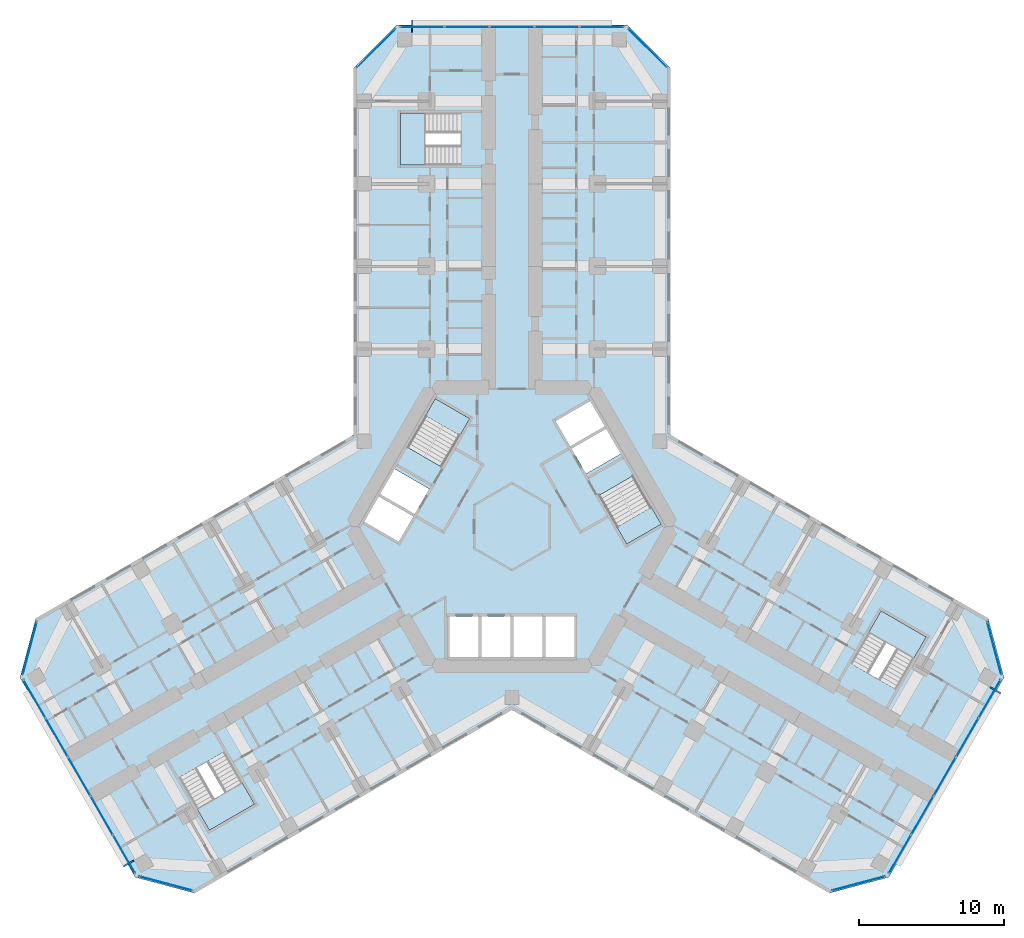
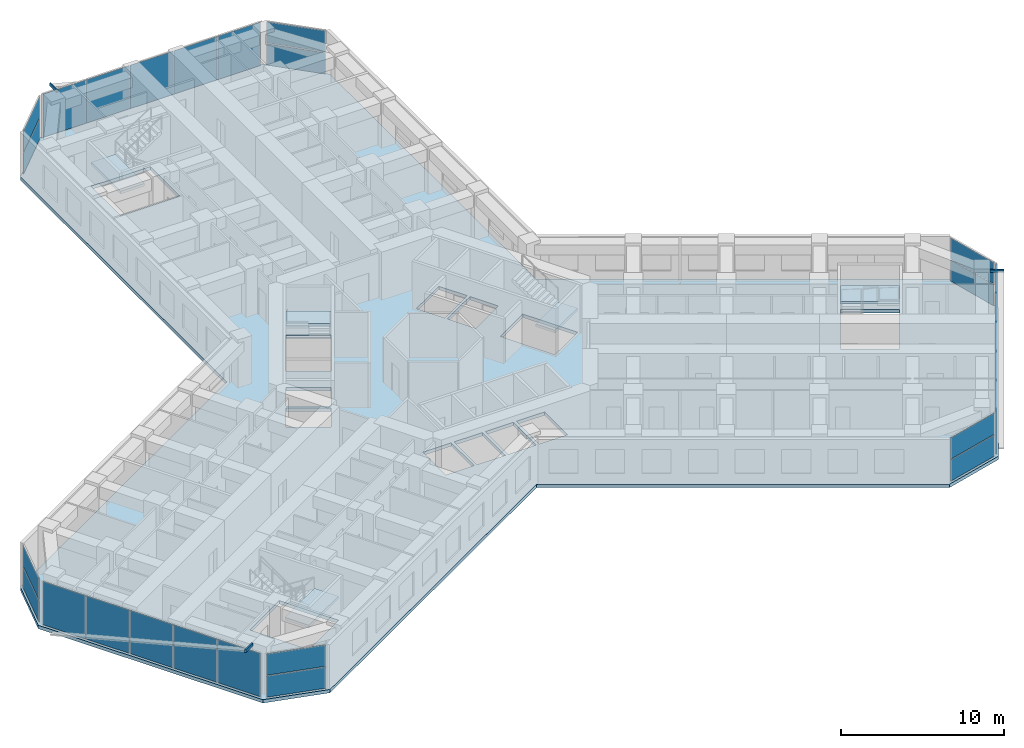
# One storey, part 9 of 21: 27 plates, 6 slabs, 3 members, 14 elements without a shape of their own.
"""IFC4 building model written with IfcOpenShell, lengths in metres."""

from ifc_helpers import new_model, si_unit, direction, frame, origin, origin_2d, place, context, subcontext, project, spatial, polyline, rectangle, hollow_rectangle, outline, extrude, material, layer, layer_set, material_profile, profile_set, type_object, element, aggregate, save


model = new_model("IFC4")

# Units and contexts
model_context = context("Model", 3, precision=1e-05, world=origin(), true_north=direction((0.0, 1.0)))
body_context = subcontext(model_context, "Body", "Model", "MODEL_VIEW")
ifc_project = project(units=[si_unit("LENGTHUNIT", "METRE"), si_unit("AREAUNIT", "SQUARE_METRE"), si_unit("VOLUMEUNIT", "CUBIC_METRE"), si_unit("PLANEANGLEUNIT", "RADIAN"), si_unit("MASSUNIT", "GRAM", prefix="KILO")], contexts=[model_context])

# Site, building, storey
site_placement = place(None, origin())
site = spatial("IfcSite", under=ifc_project, at=site_placement, CompositionType="ELEMENT")
building_placement = place(site_placement, origin())
building = spatial("IfcBuilding", under=site, at=building_placement, Name="Kosmar Iwan School Tower", CompositionType="ELEMENT")
storey_placement = place(building_placement, frame((0.0, 0.0, 68.199951171875)))
storey = spatial("IfcBuildingStorey", under=building, at=storey_placement, Name="L16", CompositionType="ELEMENT", Elevation=68.199951171875)

# Members
ifc_material_1 = material(Name="Steel S355", Category="steel")
ifc_material_profile = material_profile(ifc_material_1, hollow_rectangle(XDim=0.10009765625, YDim=0.199951171875, WallThickness=0.008056640625, at=origin_2d()), Name="RHS 200x100x8")
ifc_profile_set = profile_set([ifc_material_profile], Name="Steel S355")
member_type = type_object("IfcMemberType", Name="Fin bracket RHS 200x100", PredefinedType="USERDEFINED", material=ifc_profile_set)
member_1_placement = place(storey_placement, frame((32.9814453125, -11.074462890625, 3.47509765625), z_axis=(0.865989465428, -0.500062241894, 0.0), x_axis=(0.500062241894, 0.865989465428, 0.0)))
element("IfcMember", 1, at=member_1_placement, inside=storey, type_object=member_type, Name="Fin bracket L17", ObjectType="FIN BRACKET", PredefinedType="USERDEFINED", context=body_context, shape_type="SweptSolid", body=[
    extrude(hollow_rectangle(XDim=0.10009765625, YDim=0.199951171875, WallThickness=0.008056640625, at=origin_2d()), origin(), (0.0, 0.0, 1.0), 0.85009765625),
])
member_2_placement = place(storey_placement, frame((-6.89990234375, 34.10009765625, 3.47509765625), z_axis=(0.0, 1.0, 0.0), x_axis=(-1.0, 0.0, 0.0)))
element("IfcMember", 2, at=member_2_placement, inside=storey, type_object=member_type, Name="Fin bracket L17", ObjectType="FIN BRACKET", PredefinedType="USERDEFINED", context=body_context, shape_type="SweptSolid", body=[
    extrude(hollow_rectangle(XDim=0.10009765625, YDim=0.199951171875, WallThickness=0.008056640625, at=origin_2d()), origin(), (0.0, 0.0, 1.0), 0.849853515625),
])
member_3_placement = place(storey_placement, frame((-26.08154296875, -23.025634765625, 3.47509765625), z_axis=(-0.865989465428, -0.500062241894, 0.0), x_axis=(0.500062241894, -0.865989465428, 0.0)))
element("IfcMember", 3, at=member_3_placement, inside=storey, type_object=member_type, Name="Fin bracket L17", ObjectType="FIN BRACKET", PredefinedType="USERDEFINED", context=body_context, shape_type="SweptSolid", body=[
    extrude(hollow_rectangle(XDim=0.10009765625, YDim=0.199951171875, WallThickness=0.008056640625, at=origin_2d()), origin(), (0.0, 0.0, 1.0), 0.85009765625),
])

# Curtain wall, plates
ifc_material_2 = material(Name="Dark glass in black aluminium frame", Category="aluminium")
curtain_wall_type_1 = type_object("IfcCurtainWallType", Name="Chamfer curtain wall dark glass", PredefinedType="USERDEFINED", material=ifc_material_2)
curtain_wall_1_placement = place(storey_placement, origin())
curtain_wall_1 = element("IfcCurtainWall", 4, at=curtain_wall_1_placement, inside=storey, type_object=curtain_wall_type_1, Name="Curtain wall L16-F02", ObjectType="FACETED CURTAIN WALL", PredefinedType="USERDEFINED")
ifc_material_3 = material(Name="Dark glass", Category="glass")
ifc_layer_1 = layer(ifc_material_3, 0.028076171875)
ifc_layer_set_1 = layer_set([ifc_layer_1], Name="Dark glass panel 28")
plate_type = type_object("IfcPlateType", Name="Dark glass panel 28", PredefinedType="CURTAIN_PANEL", material=ifc_layer_set_1)
plate_1_placement = place(storey_placement, frame((23.908203125, -24.61328125, 0.06005859375), z_axis=(0.0, 0.0, 1.0), x_axis=(0.965925875495, 0.258818861462, 0.0)))
plate_1 = element("IfcPlate", 5, at=plate_1_placement, type_object=plate_type, Name="CW2 panel 1.1", PredefinedType="CURTAIN_PANEL", context=body_context, shape_type="SweptSolid", body=[
    extrude(rectangle(XDim=3.718994140625, YDim=0.028076171875, at=origin_2d()), origin(), (0.0, 0.0, 1.0), 1.5849609375),
])
plate_2_placement = place(storey_placement, frame((23.908203125, -24.61328125, 1.705078125), z_axis=(0.0, 0.0, 1.0), x_axis=(0.965925875495, 0.258818861462, 0.0)))
plate_2 = element("IfcPlate", 6, at=plate_2_placement, type_object=plate_type, Name="CW2 panel 1.2", PredefinedType="CURTAIN_PANEL", context=body_context, shape_type="SweptSolid", body=[
    extrude(rectangle(XDim=3.718994140625, YDim=0.028076171875, at=origin_2d()), origin(), (0.0, 0.0, 1.0), 1.5849609375),
])
aggregate(curtain_wall_1, [plate_1, plate_2])

ifc_material_4 = material(Name="Dark glass in black aluminium frame", Category="aluminium")
curtain_wall_type_2 = type_object("IfcCurtainWallType", Name="Tower curtain wall dark glass", PredefinedType="USERDEFINED", material=ifc_material_4)
curtain_wall_2_placement = place(storey_placement, origin())
curtain_wall_2 = element("IfcCurtainWall", 7, at=curtain_wall_2_placement, inside=storey, type_object=curtain_wall_type_2, Name="Curtain wall L16-F03", ObjectType="UNITISED CURTAIN WALL", PredefinedType="USERDEFINED")
plate_3_placement = place(storey_placement, frame((26.764404296875, -22.592529296875, 0.06005859375), z_axis=(0.0, 0.0, 1.0), x_axis=(0.499999997325, 0.866025405329, 0.0)))
plate_3 = element("IfcPlate", 8, at=plate_3_placement, type_object=plate_type, Name="CW1 panel 1.1", PredefinedType="CURTAIN_PANEL", context=body_context, shape_type="SweptSolid", body=[
    extrude(rectangle(XDim=3.00927734375, YDim=0.028076171875, at=origin_2d()), origin(), (0.0, 0.0, 1.0), 3.22998046875),
])
plate_4_placement = place(storey_placement, frame((28.306640625, -19.921630859375, 0.06005859375), z_axis=(0.0, 0.0, 1.0), x_axis=(0.499999997325, 0.866025405329, 0.0)))
plate_4 = element("IfcPlate", 9, at=plate_4_placement, type_object=plate_type, Name="CW1 panel 2.1", PredefinedType="CURTAIN_PANEL", context=body_context, shape_type="SweptSolid", body=[
    extrude(rectangle(XDim=3.039306640625, YDim=0.028076171875, at=origin_2d()), origin(), (0.0, 0.0, 1.0), 3.22998046875),
])
plate_5_placement = place(storey_placement, frame((29.856201171875, -17.237548828125, 0.06005859375), z_axis=(0.0, 0.0, 1.0), x_axis=(0.499999997325, 0.866025405329, 0.0)))
plate_5 = element("IfcPlate", 10, at=plate_5_placement, type_object=plate_type, Name="CW1 panel 3.1", PredefinedType="CURTAIN_PANEL", context=body_context, shape_type="SweptSolid", body=[
    extrude(rectangle(XDim=3.039306640625, YDim=0.028076171875, at=origin_2d()), origin(), (0.0, 0.0, 1.0), 3.22998046875),
])
plate_6_placement = place(storey_placement, frame((31.40576171875, -14.553466796875, 0.06005859375), z_axis=(0.0, 0.0, 1.0), x_axis=(0.499999997325, 0.866025405329, 0.0)))
plate_6 = element("IfcPlate", 11, at=plate_6_placement, type_object=plate_type, Name="CW1 panel 4.1", PredefinedType="CURTAIN_PANEL", context=body_context, shape_type="SweptSolid", body=[
    extrude(rectangle(XDim=3.039306640625, YDim=0.028076171875, at=origin_2d()), origin(), (0.0, 0.0, 1.0), 3.22998046875),
])
plate_7_placement = place(storey_placement, frame((32.947998046875, -11.88232421875, 0.06005859375), z_axis=(0.0, 0.0, 1.0), x_axis=(0.499999997325, 0.866025405329, 0.0)))
plate_7 = element("IfcPlate", 12, at=plate_7_placement, type_object=plate_type, Name="CW1 panel 5.1", PredefinedType="CURTAIN_PANEL", context=body_context, shape_type="SweptSolid", body=[
    extrude(rectangle(XDim=3.00927734375, YDim=0.028076171875, at=origin_2d()), origin(), (0.0, 0.0, 1.0), 3.22998046875),
])
aggregate(curtain_wall_2, [plate_3, plate_4, plate_5, plate_6, plate_7])

curtain_wall_3_placement = place(storey_placement, origin())
curtain_wall_3 = element("IfcCurtainWall", 13, at=curtain_wall_3_placement, inside=storey, type_object=curtain_wall_type_1, Name="Curtain wall L16-F04", ObjectType="FACETED CURTAIN WALL", PredefinedType="USERDEFINED")
plate_8_placement = place(storey_placement, frame((33.269775390625, -8.3984375, 0.06005859375), z_axis=(0.0, 0.0, 1.0), x_axis=(-0.258818861462, 0.965925875495, 0.0)))
plate_8 = element("IfcPlate", 14, at=plate_8_placement, type_object=plate_type, Name="CW2 panel 1.1", PredefinedType="CURTAIN_PANEL", context=body_context, shape_type="SweptSolid", body=[
    extrude(rectangle(XDim=3.718994140625, YDim=0.028076171875, at=origin_2d()), origin(), (0.0, 0.0, 1.0), 1.5849609375),
])
plate_9_placement = place(storey_placement, frame((33.269775390625, -8.3984375, 1.705078125), z_axis=(0.0, 0.0, 1.0), x_axis=(-0.258818861462, 0.965925875495, 0.0)))
plate_9 = element("IfcPlate", 15, at=plate_9_placement, type_object=plate_type, Name="CW2 panel 1.2", PredefinedType="CURTAIN_PANEL", context=body_context, shape_type="SweptSolid", body=[
    extrude(rectangle(XDim=3.718994140625, YDim=0.028076171875, at=origin_2d()), origin(), (0.0, 0.0, 1.0), 1.5849609375),
])
aggregate(curtain_wall_3, [plate_8, plate_9])

curtain_wall_4_placement = place(storey_placement, origin())
curtain_wall_4 = element("IfcCurtainWall", 16, at=curtain_wall_4_placement, inside=storey, type_object=curtain_wall_type_1, Name="Curtain wall L16-F07", ObjectType="FACETED CURTAIN WALL", PredefinedType="USERDEFINED")
plate_10_placement = place(storey_placement, frame((9.361572265625, 33.01171875, 0.06005859375), z_axis=(0.0, 0.0, 1.0), x_axis=(-0.707106781187, 0.707106781187, 0.0)))
plate_10 = element("IfcPlate", 17, at=plate_10_placement, type_object=plate_type, Name="CW2 panel 1.1", PredefinedType="CURTAIN_PANEL", context=body_context, shape_type="SweptSolid", body=[
    extrude(rectangle(XDim=3.718994140625, YDim=0.028076171875, at=origin_2d()), origin(), (0.0, 0.0, 1.0), 1.5849609375),
])
plate_11_placement = place(storey_placement, frame((9.361572265625, 33.01171875, 1.705078125), z_axis=(0.0, 0.0, 1.0), x_axis=(-0.707106781187, 0.707106781187, 0.0)))
plate_11 = element("IfcPlate", 18, at=plate_11_placement, type_object=plate_type, Name="CW2 panel 1.2", PredefinedType="CURTAIN_PANEL", context=body_context, shape_type="SweptSolid", body=[
    extrude(rectangle(XDim=3.718994140625, YDim=0.028076171875, at=origin_2d()), origin(), (0.0, 0.0, 1.0), 1.5849609375),
])
aggregate(curtain_wall_4, [plate_10, plate_11])

curtain_wall_5_placement = place(storey_placement, origin())
curtain_wall_5 = element("IfcCurtainWall", 19, at=curtain_wall_5_placement, inside=storey, type_object=curtain_wall_type_2, Name="Curtain wall L16-F08", ObjectType="UNITISED CURTAIN WALL", PredefinedType="USERDEFINED")
plate_12_placement = place(storey_placement, frame((6.18359375, 34.47509765625, 0.06005859375), z_axis=(0.0, 0.0, 1.0), x_axis=(-1.0, 0.0, 0.0)))
plate_12 = element("IfcPlate", 20, at=plate_12_placement, type_object=plate_type, Name="CW1 panel 1.1", PredefinedType="CURTAIN_PANEL", context=body_context, shape_type="SweptSolid", body=[
    extrude(rectangle(XDim=3.00927734375, YDim=0.028076171875, at=origin_2d()), origin(), (0.0, 0.0, 1.0), 3.22998046875),
])
plate_13_placement = place(storey_placement, frame((3.099365234375, 34.47509765625, 0.06005859375), z_axis=(0.0, 0.0, 1.0), x_axis=(-1.0, 0.0, 0.0)))
plate_13 = element("IfcPlate", 21, at=plate_13_placement, type_object=plate_type, Name="CW1 panel 2.1", PredefinedType="CURTAIN_PANEL", context=body_context, shape_type="SweptSolid", body=[
    extrude(rectangle(XDim=3.039306640625, YDim=0.028076171875, at=origin_2d()), origin(), (0.0, 0.0, 1.0), 3.22998046875),
])
plate_14_placement = place(storey_placement, frame((0.0, 34.47509765625, 0.06005859375), z_axis=(0.0, 0.0, 1.0), x_axis=(-1.0, 0.0, 0.0)))
plate_14 = element("IfcPlate", 22, at=plate_14_placement, type_object=plate_type, Name="CW1 panel 3.1", PredefinedType="CURTAIN_PANEL", context=body_context, shape_type="SweptSolid", body=[
    extrude(rectangle(XDim=3.039306640625, YDim=0.028076171875, at=origin_2d()), origin(), (0.0, 0.0, 1.0), 3.22998046875),
])
plate_15_placement = place(storey_placement, frame((-3.099365234375, 34.47509765625, 0.06005859375), z_axis=(0.0, 0.0, 1.0), x_axis=(-1.0, 0.0, 0.0)))
plate_15 = element("IfcPlate", 23, at=plate_15_placement, type_object=plate_type, Name="CW1 panel 4.1", PredefinedType="CURTAIN_PANEL", context=body_context, shape_type="SweptSolid", body=[
    extrude(rectangle(XDim=3.039306640625, YDim=0.028076171875, at=origin_2d()), origin(), (0.0, 0.0, 1.0), 3.22998046875),
])
plate_16_placement = place(storey_placement, frame((-6.18359375, 34.47509765625, 0.06005859375), z_axis=(0.0, 0.0, 1.0), x_axis=(-1.0, 0.0, 0.0)))
plate_16 = element("IfcPlate", 24, at=plate_16_placement, type_object=plate_type, Name="CW1 panel 5.1", PredefinedType="CURTAIN_PANEL", context=body_context, shape_type="SweptSolid", body=[
    extrude(rectangle(XDim=3.00927734375, YDim=0.028076171875, at=origin_2d()), origin(), (0.0, 0.0, 1.0), 3.22998046875),
])
aggregate(curtain_wall_5, [plate_12, plate_13, plate_14, plate_15, plate_16])

curtain_wall_6_placement = place(storey_placement, origin())
curtain_wall_6 = element("IfcCurtainWall", 25, at=curtain_wall_6_placement, inside=storey, type_object=curtain_wall_type_1, Name="Curtain wall L16-F09", ObjectType="FACETED CURTAIN WALL", PredefinedType="USERDEFINED")
plate_17_placement = place(storey_placement, frame((-9.361572265625, 33.01171875, 0.06005859375), z_axis=(0.0, 0.0, 1.0), x_axis=(-0.707106781187, -0.707106781187, 0.0)))
plate_17 = element("IfcPlate", 26, at=plate_17_placement, type_object=plate_type, Name="CW2 panel 1.1", PredefinedType="CURTAIN_PANEL", context=body_context, shape_type="SweptSolid", body=[
    extrude(rectangle(XDim=3.718994140625, YDim=0.028076171875, at=origin_2d()), origin(), (0.0, 0.0, 1.0), 1.5849609375),
])
plate_18_placement = place(storey_placement, frame((-9.361572265625, 33.01171875, 1.705078125), z_axis=(0.0, 0.0, 1.0), x_axis=(-0.707106781187, -0.707106781187, 0.0)))
plate_18 = element("IfcPlate", 27, at=plate_18_placement, type_object=plate_type, Name="CW2 panel 1.2", PredefinedType="CURTAIN_PANEL", context=body_context, shape_type="SweptSolid", body=[
    extrude(rectangle(XDim=3.718994140625, YDim=0.028076171875, at=origin_2d()), origin(), (0.0, 0.0, 1.0), 1.5849609375),
])
aggregate(curtain_wall_6, [plate_17, plate_18])

curtain_wall_7_placement = place(storey_placement, origin())
curtain_wall_7 = element("IfcCurtainWall", 28, at=curtain_wall_7_placement, inside=storey, type_object=curtain_wall_type_1, Name="Curtain wall L16-F12", ObjectType="FACETED CURTAIN WALL", PredefinedType="USERDEFINED")
plate_19_placement = place(storey_placement, frame((-33.269775390625, -8.3984375, 0.06005859375), z_axis=(0.0, 0.0, 1.0), x_axis=(-0.258818861462, -0.965925875495, 0.0)))
plate_19 = element("IfcPlate", 29, at=plate_19_placement, type_object=plate_type, Name="CW2 panel 1.1", PredefinedType="CURTAIN_PANEL", context=body_context, shape_type="SweptSolid", body=[
    extrude(rectangle(XDim=3.718994140625, YDim=0.028076171875, at=origin_2d()), origin(), (0.0, 0.0, 1.0), 1.5849609375),
])
plate_20_placement = place(storey_placement, frame((-33.269775390625, -8.3984375, 1.705078125), z_axis=(0.0, 0.0, 1.0), x_axis=(-0.258818861462, -0.965925875495, 0.0)))
plate_20 = element("IfcPlate", 30, at=plate_20_placement, type_object=plate_type, Name="CW2 panel 1.2", PredefinedType="CURTAIN_PANEL", context=body_context, shape_type="SweptSolid", body=[
    extrude(rectangle(XDim=3.718994140625, YDim=0.028076171875, at=origin_2d()), origin(), (0.0, 0.0, 1.0), 1.5849609375),
])
aggregate(curtain_wall_7, [plate_19, plate_20])

curtain_wall_8_placement = place(storey_placement, origin())
curtain_wall_8 = element("IfcCurtainWall", 31, at=curtain_wall_8_placement, inside=storey, type_object=curtain_wall_type_2, Name="Curtain wall L16-F13", ObjectType="UNITISED CURTAIN WALL", PredefinedType="USERDEFINED")
plate_21_placement = place(storey_placement, frame((-32.947998046875, -11.88232421875, 0.06005859375), z_axis=(0.0, 0.0, 1.0), x_axis=(0.499999997325, -0.866025405329, 0.0)))
plate_21 = element("IfcPlate", 32, at=plate_21_placement, type_object=plate_type, Name="CW1 panel 1.1", PredefinedType="CURTAIN_PANEL", context=body_context, shape_type="SweptSolid", body=[
    extrude(rectangle(XDim=3.00927734375, YDim=0.028076171875, at=origin_2d()), origin(), (0.0, 0.0, 1.0), 3.22998046875),
])
plate_22_placement = place(storey_placement, frame((-31.40576171875, -14.553466796875, 0.06005859375), z_axis=(0.0, 0.0, 1.0), x_axis=(0.499999997325, -0.866025405329, 0.0)))
plate_22 = element("IfcPlate", 33, at=plate_22_placement, type_object=plate_type, Name="CW1 panel 2.1", PredefinedType="CURTAIN_PANEL", context=body_context, shape_type="SweptSolid", body=[
    extrude(rectangle(XDim=3.039306640625, YDim=0.028076171875, at=origin_2d()), origin(), (0.0, 0.0, 1.0), 3.22998046875),
])
plate_23_placement = place(storey_placement, frame((-29.856201171875, -17.237548828125, 0.06005859375), z_axis=(0.0, 0.0, 1.0), x_axis=(0.499999997325, -0.866025405329, 0.0)))
plate_23 = element("IfcPlate", 34, at=plate_23_placement, type_object=plate_type, Name="CW1 panel 3.1", PredefinedType="CURTAIN_PANEL", context=body_context, shape_type="SweptSolid", body=[
    extrude(rectangle(XDim=3.039306640625, YDim=0.028076171875, at=origin_2d()), origin(), (0.0, 0.0, 1.0), 3.22998046875),
])
plate_24_placement = place(storey_placement, frame((-28.306640625, -19.921630859375, 0.06005859375), z_axis=(0.0, 0.0, 1.0), x_axis=(0.499999997325, -0.866025405329, 0.0)))
plate_24 = element("IfcPlate", 35, at=plate_24_placement, type_object=plate_type, Name="CW1 panel 4.1", PredefinedType="CURTAIN_PANEL", context=body_context, shape_type="SweptSolid", body=[
    extrude(rectangle(XDim=3.039306640625, YDim=0.028076171875, at=origin_2d()), origin(), (0.0, 0.0, 1.0), 3.22998046875),
])
plate_25_placement = place(storey_placement, frame((-26.764404296875, -22.592529296875, 0.06005859375), z_axis=(0.0, 0.0, 1.0), x_axis=(0.499999997325, -0.866025405329, 0.0)))
plate_25 = element("IfcPlate", 36, at=plate_25_placement, type_object=plate_type, Name="CW1 panel 5.1", PredefinedType="CURTAIN_PANEL", context=body_context, shape_type="SweptSolid", body=[
    extrude(rectangle(XDim=3.00927734375, YDim=0.028076171875, at=origin_2d()), origin(), (0.0, 0.0, 1.0), 3.22998046875),
])
aggregate(curtain_wall_8, [plate_21, plate_22, plate_23, plate_24, plate_25])

curtain_wall_9_placement = place(storey_placement, origin())
curtain_wall_9 = element("IfcCurtainWall", 37, at=curtain_wall_9_placement, inside=storey, type_object=curtain_wall_type_1, Name="Curtain wall L16-F14", ObjectType="FACETED CURTAIN WALL", PredefinedType="USERDEFINED")
plate_26_placement = place(storey_placement, frame((-23.908203125, -24.61328125, 0.06005859375), z_axis=(0.0, 0.0, 1.0), x_axis=(0.965925875495, -0.258818861462, 0.0)))
plate_26 = element("IfcPlate", 38, at=plate_26_placement, type_object=plate_type, Name="CW2 panel 1.1", PredefinedType="CURTAIN_PANEL", context=body_context, shape_type="SweptSolid", body=[
    extrude(rectangle(XDim=3.718994140625, YDim=0.028076171875, at=origin_2d()), origin(), (0.0, 0.0, 1.0), 1.5849609375),
])
plate_27_placement = place(storey_placement, frame((-23.908203125, -24.61328125, 1.705078125), z_axis=(0.0, 0.0, 1.0), x_axis=(0.965925875495, -0.258818861462, 0.0)))
plate_27 = element("IfcPlate", 39, at=plate_27_placement, type_object=plate_type, Name="CW2 panel 1.2", PredefinedType="CURTAIN_PANEL", context=body_context, shape_type="SweptSolid", body=[
    extrude(rectangle(XDim=3.718994140625, YDim=0.028076171875, at=origin_2d()), origin(), (0.0, 0.0, 1.0), 1.5849609375),
])
aggregate(curtain_wall_9, [plate_26, plate_27])

# Stair, slab
ifc_material_5 = material(Name="Concrete C35/45", Category="concrete")
stair_type_1 = type_object("IfcStairType", Name="Escape stair 3600", PredefinedType="HALF_TURN_STAIR", material=ifc_material_5)
stair_1_placement = place(storey_placement, origin())
stair_1 = element("IfcStair", 40, at=stair_1_placement, inside=storey, type_object=stair_type_1, Name="Stair WS1 L16", PredefinedType="HALF_TURN_STAIR")
ifc_material_6 = material(Name="Concrete C35/45", Category="concrete")
ifc_layer_2 = layer(ifc_material_6, 0.199951171875)
ifc_layer_set_2 = layer_set([ifc_layer_2], Name="Escape stair landing 200")
slab_type_1 = type_object("IfcSlabType", Name="Escape stair landing 200", PredefinedType="LANDING", material=ifc_layer_set_2)
slab_1_placement = place(storey_placement, frame((0.0, 0.0, 1.60009765625)))
slab_1 = element("IfcSlab", 41, at=slab_1_placement, type_object=slab_type_1, Name="WS1 landing 1", PredefinedType="LANDING", context=body_context, shape_type="SweptSolid", body=[
    extrude(outline(polyline([(-6.0, 24.949951171875), (-6.0, 28.550048828125), (-7.699951171875, 28.550048828125), (-7.699951171875, 24.949951171875), (-6.0, 24.949951171875)])), origin(), (0.0, 0.0, 1.0), 0.199951171875),
])
aggregate(stair_1, [slab_1])

stair_2_placement = place(storey_placement, origin())
stair_2 = element("IfcStair", 42, at=stair_2_placement, inside=storey, type_object=stair_type_1, Name="Stair WS2 L16", PredefinedType="HALF_TURN_STAIR")
slab_2_placement = place(storey_placement, frame((0.0, 0.0, 1.60009765625)))
slab_2 = element("IfcSlab", 43, at=slab_2_placement, type_object=slab_type_1, Name="WS2 landing 1", PredefinedType="LANDING", context=body_context, shape_type="SweptSolid", body=[
    extrude(outline(polyline([(-18.607421875, -17.671142578125), (-21.72509765625, -19.47119140625), (-20.875, -20.943359375), (-17.75732421875, -19.143310546875), (-18.607421875, -17.671142578125)])), origin(), (0.0, 0.0, 1.0), 0.199951171875),
])
aggregate(stair_2, [slab_2])

stair_3_placement = place(storey_placement, origin())
stair_3 = element("IfcStair", 44, at=stair_3_placement, inside=storey, type_object=stair_type_1, Name="Stair WS3 L16", PredefinedType="HALF_TURN_STAIR")
slab_3_placement = place(storey_placement, frame((0.0, 0.0, 1.60009765625)))
slab_3 = element("IfcSlab", 45, at=slab_3_placement, type_object=slab_type_1, Name="WS3 landing 1", PredefinedType="LANDING", context=body_context, shape_type="SweptSolid", body=[
    extrude(outline(polyline([(24.607421875, -7.27880859375), (27.72509765625, -9.078857421875), (28.574951171875, -7.606689453125), (25.457275390625, -5.806640625), (24.607421875, -7.27880859375)])), origin(), (0.0, 0.0, 1.0), 0.199951171875),
])
aggregate(stair_3, [slab_3])

# Slab
ifc_material_7 = material(Name="Concrete C35/45", Category="concrete")
ifc_layer_3 = layer(ifc_material_7, 0.25)
ifc_layer_set_3 = layer_set([ifc_layer_3], Name="Floor slab 250")
slab_type_2 = type_object("IfcSlabType", Name="Floor slab 250", PredefinedType="FLOOR", material=ifc_layer_set_3)
slab_4_placement = place(storey_placement, frame((0.0, 0.0, -0.25)))
element("IfcSlab", 46, at=slab_4_placement, inside=storey, type_object=slab_type_2, Name="L16 floor slab", PredefinedType="FLOOR", context=body_context, shape_type="SweptSolid", body=[
    extrude(outline(polyline([(-21.891357421875, -25.282958984375), (0.0, -12.64404296875), (21.891357421875, -25.282958984375), (25.989501953125, -24.184814453125), (33.939453125, -10.4150390625), (32.84130859375, -6.317138671875), (10.949951171875, 6.322021484375), (10.949951171875, 31.60009765625), (7.949951171875, 34.60009765625), (-7.949951171875, 34.60009765625), (-10.949951171875, 31.60009765625), (-10.949951171875, 6.322021484375), (-32.84130859375, -6.317138671875), (-33.939453125, -10.4150390625), (-25.989501953125, -24.184814453125), (-21.891357421875, -25.282958984375)]), holes=[polyline([(7.91259765625, -1.205078125), (10.294189453125, 0.169921875), (8.3642578125, 3.5126953125), (5.982666015625, 2.1376953125), (7.91259765625, -1.205078125)]), polyline([(-2.91259765625, 7.455078125), (-5.294189453125, 8.830078125), (-7.22412109375, 5.4873046875), (-4.8427734375, 4.1123046875), (-2.91259765625, 7.455078125)]), polyline([(-5.712646484375, 2.60546875), (-8.09423828125, 3.98046875), (-9.09423828125, 2.248291015625), (-6.712646484375, 0.873291015625), (-5.712646484375, 2.60546875)]), polyline([(-6.812744140625, 0.7001953125), (-9.1943359375, 2.0751953125), (-10.1943359375, 0.343017578125), (-7.812744140625, -1.031982421875), (-6.812744140625, 0.7001953125)]), polyline([(5.112548828125, 3.64453125), (7.494140625, 5.01953125), (6.494140625, 6.751708984375), (4.112548828125, 5.376708984375), (5.112548828125, 3.64453125)]), polyline([(4.0126953125, 5.5498046875), (6.394287109375, 6.9248046875), (5.394287109375, 8.656982421875), (3.0126953125, 7.281982421875), (4.0126953125, 5.5498046875)]), polyline([(-4.300048828125, -6.199951171875), (-4.300048828125, -9.0), (-2.300048828125, -9.0), (-2.300048828125, -6.199951171875), (-4.300048828125, -6.199951171875)]), polyline([(-2.10009765625, -6.199951171875), (-2.10009765625, -9.0), (-0.10009765625, -9.0), (-0.10009765625, -6.199951171875), (-2.10009765625, -6.199951171875)]), polyline([(0.10009765625, -6.199951171875), (0.10009765625, -9.0), (2.10009765625, -9.0), (2.10009765625, -6.199951171875), (0.10009765625, -6.199951171875)]), polyline([(2.300048828125, -6.199951171875), (2.300048828125, -9.0), (4.300048828125, -9.0), (4.300048828125, -6.199951171875), (2.300048828125, -6.199951171875)]), polyline([(-3.52001953125, 24.949951171875), (-3.52001953125, 28.550048828125), (-7.699951171875, 28.550048828125), (-7.699951171875, 24.949951171875), (-3.52001953125, 24.949951171875)]), polyline([(-19.847412109375, -15.5234375), (-22.965087890625, -17.323486328125), (-20.875, -20.943359375), (-17.75732421875, -19.143310546875), (-19.847412109375, -15.5234375)]), polyline([(23.367431640625, -9.426513671875), (26.485107421875, -11.2265625), (28.574951171875, -7.606689453125), (25.457275390625, -5.806640625), (23.367431640625, -9.426513671875)])]), origin(), (0.0, 0.0, 1.0), 0.25),
])

# Stair, slab
ifc_material_8 = material(Name="Concrete C35/45", Category="concrete")
stair_type_2 = type_object("IfcStairType", Name="Core stair 2750", PredefinedType="HALF_TURN_STAIR", material=ifc_material_8)
stair_4_placement = place(storey_placement, origin())
stair_4 = element("IfcStair", 47, at=stair_4_placement, inside=storey, type_object=stair_type_2, Name="Stair ST2 L16", PredefinedType="HALF_TURN_STAIR")
ifc_material_9 = material(Name="Concrete C35/45", Category="concrete")
ifc_layer_4 = layer(ifc_material_9, 0.199951171875)
ifc_layer_set_4 = layer_set([ifc_layer_4], Name="Stair landing 200")
slab_type_3 = type_object("IfcSlabType", Name="Stair landing 200", PredefinedType="LANDING", material=ifc_layer_set_4)
slab_5_placement = place(storey_placement, frame((0.0, 0.0, 1.60009765625)))
slab_5 = element("IfcSlab", 48, at=slab_5_placement, type_object=slab_type_3, Name="ST2 landing 1", PredefinedType="LANDING", context=body_context, shape_type="SweptSolid", body=[
    extrude(outline(polyline([(-2.91259765625, 7.455078125), (-5.294189453125, 8.830078125), (-5.97412109375, 7.65234375), (-3.5927734375, 6.27734375), (-2.91259765625, 7.455078125)])), origin(), (0.0, 0.0, 1.0), 0.199951171875),
])
aggregate(stair_4, [slab_5])

stair_5_placement = place(storey_placement, origin())
stair_5 = element("IfcStair", 49, at=stair_5_placement, inside=storey, type_object=stair_type_2, Name="Stair ST1 L16", PredefinedType="HALF_TURN_STAIR")
slab_6_placement = place(storey_placement, frame((0.0, 0.0, 1.60009765625)))
slab_6 = element("IfcSlab", 50, at=slab_6_placement, type_object=slab_type_3, Name="ST1 landing 1", PredefinedType="LANDING", context=body_context, shape_type="SweptSolid", body=[
    extrude(outline(polyline([(7.91259765625, -1.205078125), (10.294189453125, 0.169921875), (9.6142578125, 1.34765625), (7.232666015625, -0.02734375), (7.91259765625, -1.205078125)])), origin(), (0.0, 0.0, 1.0), 0.199951171875),
])
aggregate(stair_5, [slab_6])

save(model, "model.ifc")
